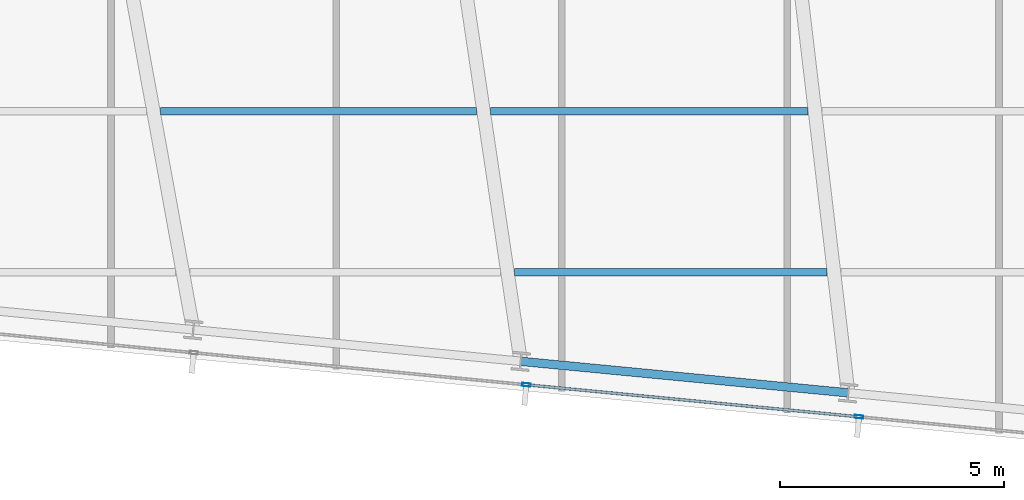
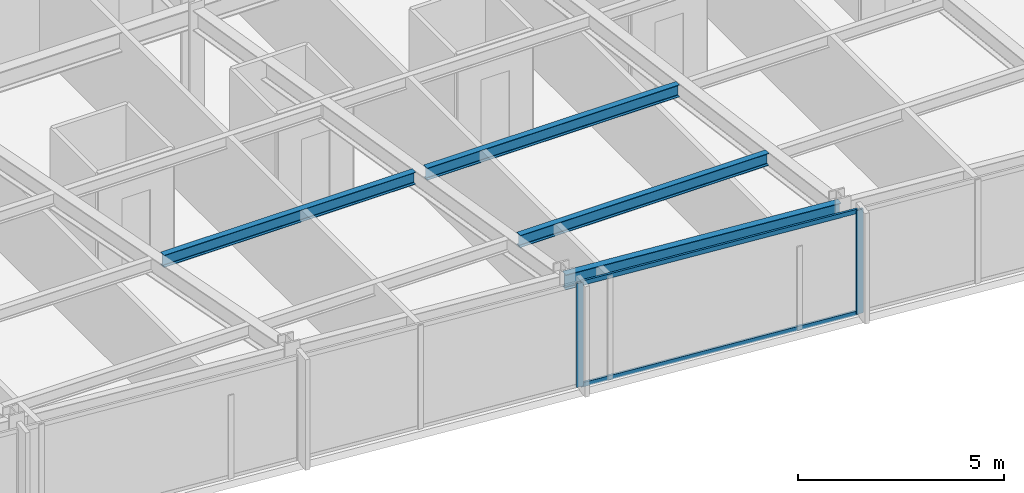
# One storey, part 12 of 38: 4 beams, 4 members, 1 element without a shape of its own.
"""IFC4 building model written with IfcOpenShell, lengths in metres."""

from ifc_helpers import new_model, si_unit, direction, frame, origin, origin_2d, place, context, subcontext, project, spatial, hollow_rectangle, i_section, extrude, material, material_profile, profile_set, type_object, element, aggregate, save


model = new_model("IFC4")

# Units and contexts
model_context = context("Model", 3, precision=1e-05, world=origin(), true_north=direction((0.0, 1.0)))
body_context = subcontext(model_context, "Body", "Model", "MODEL_VIEW")
ifc_project = project(units=[si_unit("LENGTHUNIT", "METRE"), si_unit("AREAUNIT", "SQUARE_METRE"), si_unit("VOLUMEUNIT", "CUBIC_METRE"), si_unit("PLANEANGLEUNIT", "RADIAN"), si_unit("MASSUNIT", "GRAM", prefix="KILO")], contexts=[model_context])

# Site, building, storey
site_placement = place(None, origin())
site = spatial("IfcSite", under=ifc_project, at=site_placement, CompositionType="ELEMENT")
building_placement = place(site_placement, origin())
building = spatial("IfcBuilding", under=site, at=building_placement, Name="Yelkora Congress Tower", CompositionType="ELEMENT")
storey_placement = place(building_placement, frame((0.0, 0.0, 178.699951171875)))
storey = spatial("IfcBuildingStorey", under=building, at=storey_placement, Name="L49", CompositionType="ELEMENT", Elevation=178.699951171875)

# Beams
ifc_material_1 = material(Name="Steel S355J2", Category="steel")
ifc_material_profile_1 = material_profile(ifc_material_1, i_section(OverallWidth=0.169921875, OverallDepth=0.360107421875, WebThickness=0.008056640625, FlangeThickness=0.0126953125, FilletRadius=0.01806640625, at=origin_2d()), Name="IPE 360")
ifc_profile_set_1 = profile_set([ifc_material_profile_1], Name="Steel S355J2")
beam_type_1 = type_object("IfcBeamType", Name="BM-JOIST-IPE360", PredefinedType="JOIST", material=ifc_profile_set_1)
beam_1_placement = place(storey_placement, frame((40.39990234375, 12.8212890625, 2.900146484375), z_axis=(1.0, 0.0, 0.0), x_axis=(0.0, 1.0, 0.0)))
element("IfcBeam", 1, at=beam_1_placement, inside=storey, type_object=beam_type_1, Name="L49 Composite Floor Joist 3", PredefinedType="JOIST", context=body_context, shape_type="SweptSolid", body=[
    extrude(i_section(OverallWidth=0.169921875, OverallDepth=0.360107421875, WebThickness=0.008056640625, FlangeThickness=0.0126953125, FilletRadius=0.01806640625, at=origin_2d()), origin(), (0.0, 0.0, 1.0), 6.98095703125),
])
beam_2_placement = place(storey_placement, frame((32.481201171875, 16.421142578125, 2.900146484375), z_axis=(1.0, 0.0, 0.0), x_axis=(0.0, 1.0, 0.0)))
element("IfcBeam", 2, at=beam_2_placement, inside=storey, type_object=beam_type_1, Name="L49 Composite Floor Joist 9", PredefinedType="JOIST", context=body_context, shape_type="SweptSolid", body=[
    extrude(i_section(OverallWidth=0.169921875, OverallDepth=0.360107421875, WebThickness=0.008056640625, FlangeThickness=0.0126953125, FilletRadius=0.01806640625, at=origin_2d()), origin(), (0.0, 0.0, 1.0), 7.063720703125),
])
beam_3_placement = place(storey_placement, frame((39.86474609375, 16.421142578125, 2.900146484375), z_axis=(1.0, 0.0, 0.0), x_axis=(0.0, 1.0, 0.0)))
element("IfcBeam", 3, at=beam_3_placement, inside=storey, type_object=beam_type_1, Name="L49 Composite Floor Joist 10", PredefinedType="JOIST", context=body_context, shape_type="SweptSolid", body=[
    extrude(i_section(OverallWidth=0.169921875, OverallDepth=0.360107421875, WebThickness=0.008056640625, FlangeThickness=0.0126953125, FilletRadius=0.01806640625, at=origin_2d()), origin(), (0.0, 0.0, 1.0), 7.09130859375),
])
ifc_material_profile_2 = material_profile(ifc_material_1, i_section(OverallWidth=0.18994140625, OverallDepth=0.449951171875, WebThickness=0.009521484375, FlangeThickness=0.0146484375, FilletRadius=0.02099609375, at=origin_2d()), Name="IPE 450")
ifc_profile_set_2 = profile_set([ifc_material_profile_2], Name="Steel S355J2")
beam_type_2 = type_object("IfcBeamType", Name="BM-SPAN-IPE450", PredefinedType="SPANDREL", material=ifc_profile_set_2)
beam_4_placement = place(storey_placement, frame((40.53564453125, 10.83154296875, 2.85498046875), z_axis=(0.995397104697, -0.095836339457, 0.0), x_axis=(0.095836339457, 0.995397104697, 0.0)))
element("IfcBeam", 4, at=beam_4_placement, inside=storey, type_object=beam_type_2, Name="L49 Perimeter Beam 7", PredefinedType="SPANDREL", context=body_context, shape_type="SweptSolid", body=[
    extrude(i_section(OverallWidth=0.18994140625, OverallDepth=0.449951171875, WebThickness=0.009521484375, FlangeThickness=0.0146484375, FilletRadius=0.02099609375, at=origin_2d()), origin(), (0.0, 0.0, 1.0), 7.357177734375),
])

# Curtain wall, members
ifc_material_2 = material(Name="Anodised aluminium and insulated glass", Category="aluminium")
curtain_wall_type = type_object("IfcCurtainWallType", Name="CW-SYS-B3", PredefinedType="NOTDEFINED", material=ifc_material_2)
curtain_wall_placement = place(storey_placement, origin())
curtain_wall = element("IfcCurtainWall", 5, at=curtain_wall_placement, inside=storey, type_object=curtain_wall_type, Name="L49 Unitised Curtain Wall 20", PredefinedType="NOTDEFINED")
ifc_material_3 = material(Name="Anodised aluminium 6063-T6", Category="aluminium")
ifc_material_profile_3 = material_profile(ifc_material_3, hollow_rectangle(XDim=0.070068359375, YDim=0.18994140625, WallThickness=0.00390625, at=origin_2d()), Name="ALU 70x190x4")
ifc_profile_set_3 = profile_set([ifc_material_profile_3], Name="Anodised aluminium 6063-T6")
member_type_1 = type_object("IfcMemberType", Name="MEM-ML-B3", PredefinedType="MULLION", material=ifc_profile_set_3)
member_1_placement = place(storey_placement, frame((48.1015625, 9.590576171875, 0.0), z_axis=(0.0, 0.0, 1.0), x_axis=(-0.095844680679, -0.995396301573, 0.0)))
member_1 = element("IfcMember", 6, at=member_1_placement, type_object=member_type_1, Name="CW-B3 mullion 2", PredefinedType="MULLION", context=body_context, shape_type="SweptSolid", body=[
    extrude(hollow_rectangle(XDim=0.070068359375, YDim=0.18994140625, WallThickness=0.00390625, at=origin_2d()), origin(), (0.0, 0.0, 1.0), 3.080078125),
])
member_2_placement = place(storey_placement, frame((40.66162109375, 10.30712890625, 0.0), z_axis=(0.0, 0.0, 1.0), x_axis=(-0.095844680679, -0.995396301573, 0.0)))
member_2 = element("IfcMember", 7, at=member_2_placement, type_object=member_type_1, Name="CW-B3 mullion 3", PredefinedType="MULLION", context=body_context, shape_type="SweptSolid", body=[
    extrude(hollow_rectangle(XDim=0.070068359375, YDim=0.18994140625, WallThickness=0.00390625, at=origin_2d()), origin(), (0.0, 0.0, 1.0), 3.080078125),
])
ifc_material_profile_4 = material_profile(ifc_material_3, hollow_rectangle(XDim=0.06005859375, YDim=0.1298828125, WallThickness=0.00390625, at=origin_2d()), Name="ALU 60x130x4")
ifc_profile_set_4 = profile_set([ifc_material_profile_4], Name="Anodised aluminium 6063-T6")
member_type_2 = type_object("IfcMemberType", Name="MEM-TR-B3", PredefinedType="USERDEFINED", material=ifc_profile_set_4)
member_3_placement = place(storey_placement, frame((48.066650390625, 9.593994140625, 0.030029296875), z_axis=(-0.99539548672, 0.095853142967, 0.0), x_axis=(-0.095853142967, -0.99539548672, 0.0)))
member_3 = element("IfcMember", 8, at=member_3_placement, type_object=member_type_2, Name="CW-B3 transom 2.1", ObjectType="TRANSOM", PredefinedType="USERDEFINED", context=body_context, shape_type="SweptSolid", body=[
    extrude(hollow_rectangle(XDim=0.06005859375, YDim=0.1298828125, WallThickness=0.00390625, at=origin_2d()), origin(), (0.0, 0.0, 1.0), 7.404296875),
])
member_4_placement = place(storey_placement, frame((48.066650390625, 9.593994140625, 3.050048828125), z_axis=(-0.99539548672, 0.095853142967, 0.0), x_axis=(-0.095853142967, -0.99539548672, 0.0)))
member_4 = element("IfcMember", 9, at=member_4_placement, type_object=member_type_2, Name="CW-B3 transom 2.2", ObjectType="TRANSOM", PredefinedType="USERDEFINED", context=body_context, shape_type="SweptSolid", body=[
    extrude(hollow_rectangle(XDim=0.06005859375, YDim=0.1298828125, WallThickness=0.00390625, at=origin_2d()), origin(), (0.0, 0.0, 1.0), 7.404296875),
])
aggregate(curtain_wall, [member_1, member_2, member_3, member_4])

save(model, "model.ifc")
